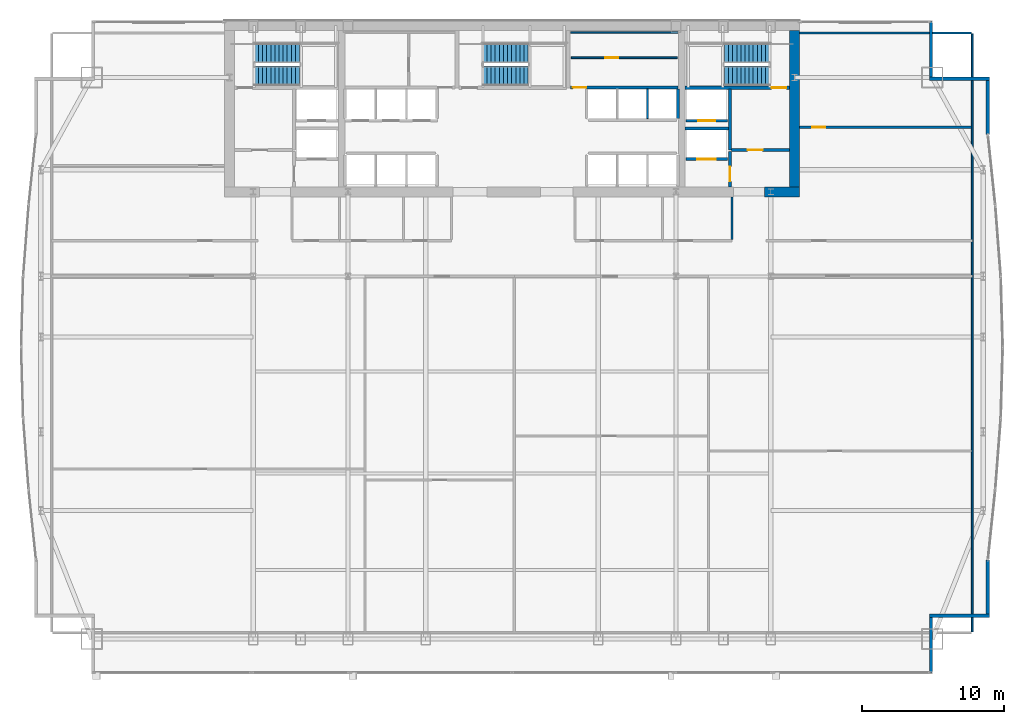
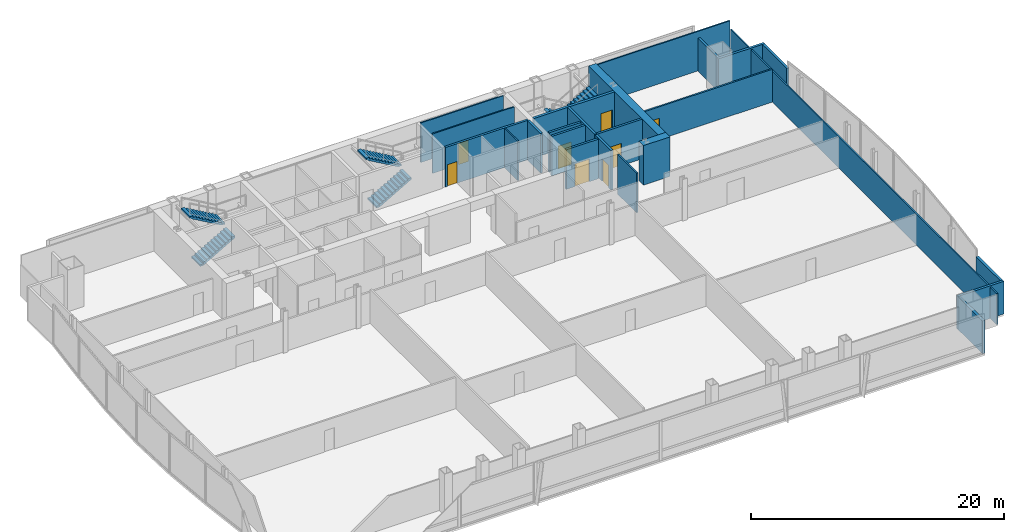
# One storey, part 28 of 30: 24 walls, 8 doors, 6 stair flights, 8 openings, 3 elements without a shape of their own.
"""IFC4 building model written with IfcOpenShell, lengths in metres."""

from ifc_helpers import new_model, si_unit, direction, frame, frame_2d, origin, place, context, subcontext, project, spatial, polyline, rectangle, outline, extrude, material, layer, layer_set, type_object, element, fill, aggregate, save


model = new_model("IFC4")

# Units and contexts
model_context = context("Model", 3, precision=1e-05, world=origin(), true_north=direction((0.0, 1.0)))
body_context = subcontext(model_context, "Body", "Model", "MODEL_VIEW")
ifc_project = project(units=[si_unit("LENGTHUNIT", "METRE"), si_unit("AREAUNIT", "SQUARE_METRE"), si_unit("VOLUMEUNIT", "CUBIC_METRE"), si_unit("PLANEANGLEUNIT", "RADIAN"), si_unit("MASSUNIT", "GRAM", prefix="KILO")], contexts=[model_context])

# Site, building, storey
site_placement = place(None, origin())
site = spatial("IfcSite", under=ifc_project, at=site_placement, CompositionType="ELEMENT")
building_placement = place(site_placement, origin())
building = spatial("IfcBuilding", under=site, at=building_placement, Name="Khoronbel Lancet Exchange", CompositionType="ELEMENT")
storey_placement = place(building_placement, frame((0.0, 0.0, 98.60009765625)))
storey = spatial("IfcBuildingStorey", under=building, at=storey_placement, Name="L23", CompositionType="ELEMENT", Elevation=98.60009765625)

# Walls
ifc_material_1 = material(Name="Concrete C80/95", Category="concrete")
ifc_layer_1 = layer(ifc_material_1, 0.699951171875, Name="Concrete C80/95")
ifc_layer_set_1 = layer_set([ifc_layer_1], Name="Concrete C80/95")
wall_type_1 = type_object("IfcWallType", Name="WL-CW2", PredefinedType="SHEAR", material=ifc_layer_set_1)
wall_1_placement = place(storey_placement, frame((56.35009765625, 53.0, 0.0), z_axis=(0.0, 0.0, 1.0), x_axis=(0.0, -1.0, 0.0)))
element("IfcWall", 1, at=wall_1_placement, inside=storey, type_object=wall_type_1, Name="Level L23 rear core east shear wall", PredefinedType="SHEAR", context=body_context, shape_type="SweptSolid", body=[
    extrude(rectangle(XDim=11.0, YDim=0.699951171875, at=frame_2d((5.5, 0.0))), origin(), (0.0, 0.0, 1.0), 3.81982421875),
])
wall_2_placement = place(storey_placement, frame((56.699951171875, 41.64990234375, 0.0), z_axis=(0.0, 0.0, 1.0), x_axis=(-1.0, 0.0, 0.0)))
element("IfcWall", 2, at=wall_2_placement, inside=storey, type_object=wall_type_1, Name="Level L23 rear core south shear wall pier P5", PredefinedType="SHEAR", context=body_context, shape_type="SweptSolid", body=[
    extrude(rectangle(XDim=2.449951171875, YDim=0.699951171875, at=frame_2d((1.22509765625, 0.0))), origin(), (0.0, 0.0, 1.0), 3.81982421875),
])
ifc_material_2 = material(Name="Precast concrete C40/50", Category="concrete")
ifc_layer_2 = layer(ifc_material_2, 0.25, Name="Precast concrete C40/50")
ifc_layer_set_2 = layer_set([ifc_layer_2], Name="Precast concrete C40/50")
wall_type_2 = type_object("IfcWallType", Name="WL-EXT250", PredefinedType="SOLIDWALL", material=ifc_layer_set_2)
wall_3_placement = place(storey_placement, frame((65.9599609375, 53.6298828125, 0.0), z_axis=(0.0, 0.0, 1.0), x_axis=(0.0, -1.0, 0.0)))
element("IfcWall", 3, at=wall_3_placement, inside=storey, type_object=wall_type_2, Name="Level L23 notched-corner limestone pier 14", PredefinedType="SOLIDWALL", context=body_context, shape_type="SweptSolid", body=[
    extrude(rectangle(XDim=3.909912109375, YDim=0.219970703125, at=frame_2d((1.955078125, 0.0))), origin(), (0.0, 0.0, 1.0), 3.159912109375),
])
wall_4_placement = place(storey_placement, frame((65.85009765625, 49.610107421875, 0.0), z_axis=(0.0, 0.0, 1.0), x_axis=(1.0, 0.0, 0.0)))
element("IfcWall", 4, at=wall_4_placement, inside=storey, type_object=wall_type_2, Name="Level L23 notched-corner limestone pier 15", PredefinedType="SOLIDWALL", context=body_context, shape_type="SweptSolid", body=[
    extrude(rectangle(XDim=4.219970703125, YDim=0.219970703125, at=frame_2d((2.10986328125, 0.0))), origin(), (0.0, 0.0, 1.0), 3.159912109375),
])
for number, where, z_axis, x_axis, name in (
    (5, (69.9599609375, 49.5, 0.0), (0.0, 0.0, 1.0), (0.0, -1.0, 0.0), "Level L23 notched-corner limestone pier 16"),
    (6, (69.9599609375, 15.724609375, 0.0), (0.0, 0.0, 1.0), (0.0, -1.0, 0.0), "Level L23 notched-corner limestone pier 23"),
):
    element("IfcWall", number, at=place(storey_placement, frame(where, z_axis=z_axis, x_axis=x_axis)), inside=storey, type_object=wall_type_2, Name=name, PredefinedType="SOLIDWALL", context=body_context, shape_type="SweptSolid", body=[
        extrude(rectangle(XDim=3.82470703125, YDim=0.219970703125, at=frame_2d((1.912353515625, 0.0))), origin(), (0.0, 0.0, 1.0), 3.159912109375),
    ])
wall_5_placement = place(storey_placement, frame((70.070068359375, 11.7900390625, 0.0), z_axis=(0.0, 0.0, 1.0), x_axis=(-1.0, 0.0, 0.0)))
element("IfcWall", 7, at=wall_5_placement, inside=storey, type_object=wall_type_2, Name="Level L23 notched-corner limestone pier 24", PredefinedType="SOLIDWALL", context=body_context, shape_type="SweptSolid", body=[
    extrude(rectangle(XDim=4.219970703125, YDim=0.219970703125, at=frame_2d((2.10986328125, 0.0))), origin(), (0.0, 0.0, 1.0), 3.159912109375),
])
wall_6_placement = place(storey_placement, frame((65.9599609375, 11.679931640625, 0.0), z_axis=(0.0, 0.0, 1.0), x_axis=(0.0, -1.0, 0.0)))
element("IfcWall", 8, at=wall_6_placement, inside=storey, type_object=wall_type_2, Name="Level L23 notched-corner limestone pier 25", PredefinedType="SOLIDWALL", context=body_context, shape_type="SweptSolid", body=[
    extrude(rectangle(XDim=3.909912109375, YDim=0.219970703125, at=frame_2d((1.955078125, 0.0))), origin(), (0.0, 0.0, 1.0), 3.159912109375),
])
ifc_material_3 = material(Name="Acoustic Metal-Stud & Mineral-Wool Gypsum Partition 120 mm", Category="gypsum")
ifc_layer_3 = layer(ifc_material_3, 0.1201171875, Name="Acoustic Metal-Stud & Mineral-Wool Gypsum Partition 120 mm")
ifc_layer_set_3 = layer_set([ifc_layer_3], Name="Acoustic Metal-Stud & Mineral-Wool Gypsum Partition 120 mm")
wall_type_3 = type_object("IfcWallType", Name="WL-PRT120", PredefinedType="PARTITIONING", material=ifc_layer_set_3)
wall_7_placement = place(storey_placement, frame((51.949951171875, 38.280029296875, 0.0), z_axis=(0.0, 0.0, 1.0), x_axis=(0.0, 1.0, 0.0)))
element("IfcWall", 9, at=wall_7_placement, inside=storey, type_object=wall_type_3, Name="Level L23 interior partition PW-NP-1", PredefinedType="PARTITIONING", context=body_context, shape_type="SweptSolid", body=[
    extrude(rectangle(XDim=3.02001953125, YDim=0.14990234375, at=frame_2d((1.510009765625, 0.0))), origin(), (0.0, 0.0, 1.0), 3.81982421875),
])

# Wall, opening, door
wall_8_placement = place(storey_placement, frame((56.699951171875, 46.199951171875, 0.0), z_axis=(0.0, 0.0, 1.0), x_axis=(1.0, 0.0, 0.0)))
wall_8 = element("IfcWall", 10, at=wall_8_placement, inside=storey, type_object=wall_type_3, Name="Level L23 interior partition PW-NE-H", PredefinedType="PARTITIONING", context=body_context, shape_type="SweptSolid", body=[
    extrude(rectangle(XDim=12.10498046875, YDim=0.14990234375, at=frame_2d((6.052490234375, 0.0))), origin(), (0.0, 0.0, 1.0), 3.159912109375),
])
opening_1_placement = place(wall_8_placement, frame((0.89990234375, 0.0, 0.0)))
opening_1 = element("IfcOpeningElement", 11, at=opening_1_placement, cuts=wall_8, Name="Opening D5", PredefinedType="OPENING", context=body_context, shape_type="SweptSolid", body=[
    extrude(rectangle(XDim=0.89990234375, YDim=2.050048828125, at=frame_2d((0.449951171875, 1.02490234375))), frame((0.0, 0.0849609375, 0.0), z_axis=(0.0, -1.0, 0.0), x_axis=(1.0, 0.0, 0.0)), (0.0, 0.0, 1.0), 0.169921875),
])
ifc_material_4 = material(Name="Acoustic Timber Pantry & Support Door", Category="wood")
door_type_1 = type_object("IfcDoorType", Name="DR-D5", OperationType="NOTDEFINED", PredefinedType="DOOR", material=ifc_material_4)
door_1_placement = place(opening_1_placement, origin())
door_1 = element("IfcDoor", 12, at=door_1_placement, inside=storey, type_object=door_type_1, Name="NE north room door L23-1", OperationType="SINGLE_SWING_RIGHT", OverallHeight=2.050048828125, OverallWidth=0.89990234375, PredefinedType="DOOR", context=body_context, shape_type="SweptSolid", body=[
    extrude(rectangle(XDim=0.89990234375, YDim=2.050048828125, at=frame_2d((0.449951171875, 1.02490234375))), frame((0.0, 0.02490234375, 0.0), z_axis=(0.0, -1.0, 0.0), x_axis=(1.0, 0.0, 0.0)), (0.0, 0.0, 1.0), 0.050048828125),
])
fill(opening_1, door_1)

# Walls
wall_9_placement = place(storey_placement, frame((68.8701171875, 10.6650390625, 0.0), z_axis=(0.0, 0.0, 1.0), x_axis=(0.0, 1.0, 0.0)))
element("IfcWall", 13, at=wall_9_placement, inside=storey, type_object=wall_type_3, Name="Level L23 interior partition PW-LIN-E", PredefinedType="PARTITIONING", context=body_context, shape_type="SweptSolid", body=[
    extrude(rectangle(XDim=42.10986328125, YDim=0.1201171875, at=frame_2d((21.054931640625, 0.0))), origin(), (0.0, 0.0, 1.0), 3.010009765625),
])
wall_10_placement = place(storey_placement, frame((56.699951171875, 52.840087890625, 0.0), z_axis=(0.0, 0.0, 1.0), x_axis=(1.0, 0.0, 0.0)))
element("IfcWall", 14, at=wall_10_placement, inside=storey, type_object=wall_type_3, Name="Level L23 interior partition PW-LIN-NE", PredefinedType="PARTITIONING", context=body_context, shape_type="SweptSolid", body=[
    extrude(rectangle(XDim=12.10498046875, YDim=0.1201171875, at=frame_2d((6.052490234375, 0.0))), origin(), (0.0, 0.0, 1.0), 3.81982421875),
])
ifc_material_5 = material(Name="Fire-Rated Metal-Stud & Mineral-Wool Gypsum Partition 120 mm", Category="gypsum")
ifc_layer_4 = layer(ifc_material_5, 0.1201171875, Name="Fire-Rated Metal-Stud & Mineral-Wool Gypsum Partition 120 mm")
ifc_layer_set_4 = layer_set([ifc_layer_4], Name="Fire-Rated Metal-Stud & Mineral-Wool Gypsum Partition 120 mm")
wall_type_4 = type_object("IfcWallType", Name="WL-PRT120F", PredefinedType="PARTITIONING", material=ifc_layer_set_4)
wall_11_placement = place(storey_placement, frame((46.0, 46.804931640625, 0.0), z_axis=(0.0, 0.0, 1.0), x_axis=(0.0, 1.0, 0.0)))
element("IfcWall", 15, at=wall_11_placement, inside=storey, type_object=wall_type_4, Name="Level L23 interior partition CW-PH-D2", PredefinedType="PARTITIONING", context=body_context, shape_type="SweptSolid", body=[
    extrude(rectangle(XDim=2.090087890625, YDim=0.1201171875, at=frame_2d((1.044921875, 0.0))), origin(), (0.0, 0.0, 1.0), 3.81982421875),
])
wall_12_placement = place(storey_placement, frame((40.580078125, 52.860107421875, 0.0), z_axis=(0.0, 0.0, 1.0), x_axis=(1.0, 0.0, 0.0)))
element("IfcWall", 16, at=wall_12_placement, inside=storey, type_object=wall_type_4, Name="Level L23 interior partition CW-SUP-NE-N", PredefinedType="PARTITIONING", context=body_context, shape_type="SweptSolid", body=[
    extrude(rectangle(XDim=7.559814453125, YDim=0.1201171875, at=frame_2d((3.77978515625, 0.0))), origin(), (0.0, 0.0, 1.0), 3.81982421875),
])

# Wall, opening, door
wall_13_placement = place(storey_placement, frame((40.6298828125, 51.090087890625, 0.0), z_axis=(0.0, 0.0, 1.0), x_axis=(1.0, 0.0, 0.0)))
wall_13 = element("IfcWall", 17, at=wall_13_placement, inside=storey, type_object=wall_type_4, Name="Level L23 interior partition CW-SUP-NE-H", PredefinedType="PARTITIONING", context=body_context, shape_type="SweptSolid", body=[
    extrude(rectangle(XDim=7.460205078125, YDim=0.1201171875, at=frame_2d((3.72998046875, 0.0))), origin(), (0.0, 0.0, 1.0), 3.81982421875),
])
opening_2_placement = place(wall_13_placement, frame((2.39990234375, 0.0, 0.0)))
opening_2 = element("IfcOpeningElement", 18, at=opening_2_placement, cuts=wall_13, Name="Opening FD4", PredefinedType="OPENING", context=body_context, shape_type="SweptSolid", body=[
    extrude(rectangle(XDim=0.89990234375, YDim=2.050048828125, at=frame_2d((0.449951171875, 1.02490234375))), frame((0.0, 0.070068359375, 0.0), z_axis=(0.0, -1.0, 0.0), x_axis=(1.0, 0.0, 0.0)), (0.0, 0.0, 1.0), 0.14013671875),
])
ifc_material_6 = material(Name="Fire-Rated Steel Core Support Door Assembly", Category="steel")
door_type_2 = type_object("IfcDoorType", Name="DR-FD4", OperationType="NOTDEFINED", PredefinedType="DOOR", material=ifc_material_6)
door_2_placement = place(opening_2_placement, origin())
door_2 = element("IfcDoor", 19, at=door_2_placement, inside=storey, type_object=door_type_2, Name="Core NE north store door L23-1", OperationType="SINGLE_SWING_LEFT", OverallHeight=2.050048828125, OverallWidth=0.89990234375, PredefinedType="DOOR", context=body_context, shape_type="SweptSolid", body=[
    extrude(rectangle(XDim=0.89990234375, YDim=2.050048828125, at=frame_2d((0.449951171875, 1.02490234375))), frame((0.0, 0.02490234375, 0.0), z_axis=(0.0, -1.0, 0.0), x_axis=(1.0, 0.0, 0.0)), (0.0, 0.0, 1.0), 0.050048828125),
])
fill(opening_2, door_2)

ifc_material_7 = material(Name="Autoclaved Aerated Concrete Blockwork 200 mm", Category="masonry")
ifc_layer_5 = layer(ifc_material_7, 0.199951171875, Name="Autoclaved Aerated Concrete Blockwork 200 mm")
ifc_layer_set_5 = layer_set([ifc_layer_5], Name="Autoclaved Aerated Concrete Blockwork 200 mm")
wall_type_5 = type_object("IfcWallType", Name="WL-PRT200", PredefinedType="PARTITIONING", material=ifc_layer_set_5)
wall_14_placement = place(storey_placement, frame((51.610107421875, 43.949951171875, 0.0), z_axis=(0.0, 0.0, 1.0), x_axis=(-1.0, 0.0, 0.0)))
wall_14 = element("IfcWall", 20, at=wall_14_placement, inside=storey, type_object=wall_type_5, Name="Level L23 elevator hoistway landing front wall SVLE", PredefinedType="PARTITIONING", context=body_context, shape_type="SweptSolid", body=[
    extrude(rectangle(XDim=2.920166015625, YDim=0.199951171875, at=frame_2d((1.4599609375, 0.0))), origin(), (0.0, 0.0, 1.0), 3.81982421875),
])
opening_3_placement = place(wall_14_placement, frame((0.81005859375, 0.0, 0.0)))
opening_3 = element("IfcOpeningElement", 21, at=opening_3_placement, cuts=wall_14, Name="Opening LD-SVL2", PredefinedType="OPENING", context=body_context, shape_type="SweptSolid", body=[
    extrude(rectangle(XDim=1.300048828125, YDim=2.179931640625, at=frame_2d((0.64990234375, 1.08984375))), frame((0.0, 0.10986328125, 0.0), z_axis=(0.0, -1.0, 0.0), x_axis=(1.0, 0.0, 0.0)), (0.0, 0.0, 1.0), 0.219970703125),
])
ifc_material_8 = material(Name="Heavy-Duty Bi-Parting Goods Lift Landing Door", Category="steel")
door_type_3 = type_object("IfcDoorType", Name="DR-LD-SVL", OperationType="NOTDEFINED", PredefinedType="DOOR", material=ifc_material_8)
door_3_placement = place(opening_3_placement, origin())
door_3 = element("IfcDoor", 22, at=door_3_placement, inside=storey, type_object=door_type_3, Name="Elevator landing sliding door LD-SVL2 L23", OperationType="SLIDING_TO_LEFT", OverallHeight=2.179931640625, OverallWidth=1.300048828125, PredefinedType="DOOR", context=body_context, shape_type="SweptSolid", body=[
    extrude(rectangle(XDim=1.300048828125, YDim=2.179931640625, at=frame_2d((0.64990234375, 1.08984375))), frame((0.0, 0.02490234375, 0.0), z_axis=(0.0, -1.0, 0.0), x_axis=(1.0, 0.0, 0.0)), (0.0, 0.0, 1.0), 0.050048828125),
])
fill(opening_3, door_3)

wall_15_placement = place(storey_placement, frame((51.610107421875, 46.64990234375, 0.0), z_axis=(0.0, 0.0, 1.0), x_axis=(-1.0, 0.0, 0.0)))
wall_15 = element("IfcWall", 23, at=wall_15_placement, inside=storey, type_object=wall_type_5, Name="Level L23 elevator hoistway landing front wall FFLE", PredefinedType="PARTITIONING", context=body_context, shape_type="SweptSolid", body=[
    extrude(rectangle(XDim=2.920166015625, YDim=0.199951171875, at=frame_2d((1.4599609375, 0.0))), origin(), (0.0, 0.0, 1.0), 3.81982421875),
])
opening_4_placement = place(wall_15_placement, frame((0.860107421875, 0.0, 0.0)))
opening_4 = element("IfcOpeningElement", 24, at=opening_4_placement, cuts=wall_15, Name="Opening LD-FFL2", PredefinedType="OPENING", context=body_context, shape_type="SweptSolid", body=[
    extrude(rectangle(XDim=1.199951171875, YDim=2.179931640625, at=frame_2d((0.60009765625, 1.08984375))), frame((0.0, 0.10986328125, 0.0), z_axis=(0.0, -1.0, 0.0), x_axis=(1.0, 0.0, 0.0)), (0.0, 0.0, 1.0), 0.219970703125),
])
ifc_material_9 = material(Name="Fire-Rated Stainless Bi-Parting Firefighting Lift Door", Category="steel")
door_type_4 = type_object("IfcDoorType", Name="DR-LD-FFL", OperationType="NOTDEFINED", PredefinedType="DOOR", material=ifc_material_9)
door_4_placement = place(opening_4_placement, origin())
door_4 = element("IfcDoor", 25, at=door_4_placement, inside=storey, type_object=door_type_4, Name="Elevator landing sliding door LD-FFL2 L23", OperationType="SLIDING_TO_LEFT", OverallHeight=2.179931640625, OverallWidth=1.199951171875, PredefinedType="DOOR", context=body_context, shape_type="SweptSolid", body=[
    extrude(rectangle(XDim=1.199951171875, YDim=2.179931640625, at=frame_2d((0.60009765625, 1.08984375))), frame((0.0, 0.02490234375, 0.0), z_axis=(0.0, -1.0, 0.0), x_axis=(1.0, 0.0, 0.0)), (0.0, 0.0, 1.0), 0.050048828125),
])
fill(opening_4, door_4)

# Wall
wall_16_placement = place(storey_placement, frame((51.800048828125, 44.60009765625, 0.0), z_axis=(0.0, 0.0, 1.0), x_axis=(0.0, 1.0, 0.0)))
element("IfcWall", 26, at=wall_16_placement, inside=storey, type_object=wall_type_5, Name="Level L23 interior partition CW-FFLE-W", PredefinedType="PARTITIONING", context=body_context, shape_type="SweptSolid", body=[
    extrude(rectangle(XDim=4.2998046875, YDim=0.199951171875, at=frame_2d((2.14990234375, 0.0))), origin(), (0.0, 0.0, 1.0), 3.81982421875),
])

# Wall, opening, door
wall_17_placement = place(storey_placement, frame((51.89990234375, 44.60009765625, 0.0), z_axis=(0.0, 0.0, 1.0), x_axis=(1.0, 0.0, 0.0)))
wall_17 = element("IfcWall", 27, at=wall_17_placement, inside=storey, type_object=wall_type_5, Name="Level L23 interior partition CW-FFLE-S", PredefinedType="PARTITIONING", context=body_context, shape_type="SweptSolid", body=[
    extrude(rectangle(XDim=4.10009765625, YDim=0.199951171875, at=frame_2d((2.050048828125, 0.0))), origin(), (0.0, 0.0, 1.0), 3.81982421875),
])
opening_5_placement = place(wall_17_placement, frame((1.14990234375, 0.0, 0.0)))
opening_5 = element("IfcOpeningElement", 28, at=opening_5_placement, cuts=wall_17, Name="Opening FD1", PredefinedType="OPENING", context=body_context, shape_type="SweptSolid", body=[
    extrude(rectangle(XDim=1.050048828125, YDim=2.14990234375, at=frame_2d((0.52490234375, 1.074951171875))), frame((0.0, 0.10986328125, 0.0), z_axis=(0.0, -1.0, 0.0), x_axis=(1.0, 0.0, 0.0)), (0.0, 0.0, 1.0), 0.219970703125),
])
ifc_material_10 = material(Name="Fire-Rated Painted Steel Door Assembly", Category="steel")
door_type_5 = type_object("IfcDoorType", Name="DR-FD1", OperationType="NOTDEFINED", PredefinedType="DOOR", material=ifc_material_10)
door_5_placement = place(opening_5_placement, origin())
door_5 = element("IfcDoor", 29, at=door_5_placement, inside=storey, type_object=door_type_5, Name="East firefighting lobby FD90S door L23-1", OperationType="SINGLE_SWING_RIGHT", OverallHeight=2.14990234375, OverallWidth=1.050048828125, PredefinedType="DOOR", context=body_context, shape_type="SweptSolid", body=[
    extrude(rectangle(XDim=1.050048828125, YDim=2.14990234375, at=frame_2d((0.52490234375, 1.074951171875))), frame((0.0, 0.02490234375, 0.0), z_axis=(0.0, -1.0, 0.0), x_axis=(1.0, 0.0, 0.0)), (0.0, 0.0, 1.0), 0.050048828125),
])
fill(opening_5, door_5)

# Wall
wall_18_placement = place(storey_placement, frame((48.6298828125, 46.1201171875, 0.0), z_axis=(0.0, 0.0, 1.0), x_axis=(1.0, 0.0, 0.0)))
element("IfcWall", 30, at=wall_18_placement, inside=storey, type_object=wall_type_5, Name="Level L23 interior partition CW-FFL2-S", PredefinedType="PARTITIONING", context=body_context, shape_type="SweptSolid", body=[
    extrude(rectangle(XDim=3.070068359375, YDim=0.199951171875, at=frame_2d((1.53515625, 0.0))), origin(), (0.0, 0.0, 1.0), 3.81982421875),
])

# Wall, opening, door
wall_19_placement = place(storey_placement, frame((51.800048828125, 42.0, 0.0), z_axis=(0.0, 0.0, 1.0), x_axis=(0.0, 1.0, 0.0)))
wall_19 = element("IfcWall", 31, at=wall_19_placement, inside=storey, type_object=wall_type_5, Name="Level L23 interior partition CW-SVLE-E", PredefinedType="PARTITIONING", context=body_context, shape_type="SweptSolid", body=[
    extrude(rectangle(XDim=2.4951171875, YDim=0.199951171875, at=frame_2d((1.24755859375, 0.0))), origin(), (0.0, 0.0, 1.0), 3.81982421875),
])
opening_6_placement = place(wall_19_placement, frame((0.3798828125, 0.0, 0.0)))
opening_6 = element("IfcOpeningElement", 32, at=opening_6_placement, cuts=wall_19, Name="Opening FD1", PredefinedType="OPENING", context=body_context, shape_type="SweptSolid", body=[
    extrude(rectangle(XDim=1.050048828125, YDim=2.14990234375, at=frame_2d((0.52490234375, 1.074951171875))), frame((0.0, 0.10986328125, 0.0), z_axis=(0.0, -1.0, 0.0), x_axis=(1.0, 0.0, 0.0)), (0.0, 0.0, 1.0), 0.219970703125),
])
door_6_placement = place(opening_6_placement, origin())
door_6 = element("IfcDoor", 33, at=door_6_placement, inside=storey, type_object=door_type_5, Name="East service lift lobby door L23-1", OperationType="SINGLE_SWING_LEFT", OverallHeight=2.14990234375, OverallWidth=1.050048828125, PredefinedType="DOOR", context=body_context, shape_type="SweptSolid", body=[
    extrude(rectangle(XDim=1.050048828125, YDim=2.14990234375, at=frame_2d((0.52490234375, 1.074951171875))), frame((0.0, 0.02490234375, 0.0), z_axis=(0.0, -1.0, 0.0), x_axis=(1.0, 0.0, 0.0)), (0.0, 0.0, 1.0), 0.050048828125),
])
fill(opening_6, door_6)

# Wall
wall_20_placement = place(storey_placement, frame((48.139892578125, 46.804931640625, 0.0), z_axis=(0.0, 0.0, 1.0), x_axis=(0.0, 1.0, 0.0)))
element("IfcWall", 34, at=wall_20_placement, inside=storey, type_object=wall_type_5, Name="Level L23 interior partition CW-PH-E", PredefinedType="PARTITIONING", context=body_context, shape_type="SweptSolid", body=[
    extrude(rectangle(XDim=2.090087890625, YDim=0.199951171875, at=frame_2d((1.044921875, 0.0))), origin(), (0.0, 0.0, 1.0), 3.81982421875),
])

# Wall, opening, door
wall_21_placement = place(storey_placement, frame((40.580078125, 49.0, 0.0), z_axis=(0.0, 0.0, 1.0), x_axis=(1.0, 0.0, 0.0)))
wall_21 = element("IfcWall", 35, at=wall_21_placement, inside=storey, type_object=wall_type_5, Name="Level L23 interior partition CW-SUP-NE-S", PredefinedType="PARTITIONING", context=body_context, shape_type="SweptSolid", body=[
    extrude(rectangle(XDim=7.559814453125, YDim=0.199951171875, at=frame_2d((3.77978515625, 0.0))), origin(), (0.0, 0.0, 1.0), 3.81982421875),
])
opening_7_placement = place(wall_21_placement, frame((0.159912109375, 0.0, 0.0)))
opening_7 = element("IfcOpeningElement", 36, at=opening_7_placement, cuts=wall_21, Name="Opening FD3", PredefinedType="OPENING", context=body_context, shape_type="SweptSolid", body=[
    extrude(rectangle(XDim=0.949951171875, YDim=2.10009765625, at=frame_2d((0.47509765625, 1.050048828125))), frame((0.0, 0.10986328125, 0.0), z_axis=(0.0, -1.0, 0.0), x_axis=(1.0, 0.0, 0.0)), (0.0, 0.0, 1.0), 0.219970703125),
])
ifc_material_11 = material(Name="Fire-Rated Steel Plant & Riser Door Assembly", Category="steel")
door_type_6 = type_object("IfcDoorType", Name="DR-FD3", OperationType="NOTDEFINED", PredefinedType="DOOR", material=ifc_material_11)
door_7_placement = place(opening_7_placement, origin())
door_7 = element("IfcDoor", 37, at=door_7_placement, inside=storey, type_object=door_type_6, Name="Core NE support room door L23-1", OperationType="SINGLE_SWING_RIGHT", OverallHeight=2.10009765625, OverallWidth=0.949951171875, PredefinedType="DOOR", context=body_context, shape_type="SweptSolid", body=[
    extrude(rectangle(XDim=0.949951171875, YDim=2.10009765625, at=frame_2d((0.47509765625, 1.050048828125))), frame((0.0, 0.02490234375, 0.0), z_axis=(0.0, -1.0, 0.0), x_axis=(1.0, 0.0, 0.0)), (0.0, 0.0, 1.0), 0.050048828125),
])
fill(opening_7, door_7)

ifc_material_12 = material(Name="Concrete C60/75", Category="concrete")
ifc_layer_6 = layer(ifc_material_12, 0.260009765625, Name="Concrete C60/75")
ifc_layer_set_6 = layer_set([ifc_layer_6], Name="Concrete C60/75")
wall_type_6 = type_object("IfcWallType", Name="WL-SW3", PredefinedType="SHEAR", material=ifc_layer_set_6)
wall_22_placement = place(storey_placement, frame((48.6298828125, 48.97998046875, 0.0), z_axis=(0.0, 0.0, 1.0), x_axis=(1.0, 0.0, 0.0)))
wall_22 = element("IfcWall", 38, at=wall_22_placement, inside=storey, type_object=wall_type_6, Name="Level L23 east stairwell structural south wall", PredefinedType="SHEAR", context=body_context, shape_type="SweptSolid", body=[
    extrude(rectangle(XDim=7.3701171875, YDim=0.239990234375, at=frame_2d((3.68505859375, 0.0))), origin(), (0.0, 0.0, 1.0), 3.81982421875),
])
opening_8_placement = place(wall_22_placement, frame((6.10009765625, 0.0, 0.0)))
opening_8 = element("IfcOpeningElement", 39, at=opening_8_placement, cuts=wall_22, Name="Opening SD1", PredefinedType="OPENING", context=body_context, shape_type="SweptSolid", body=[
    extrude(rectangle(XDim=1.050048828125, YDim=2.14990234375, at=frame_2d((0.52490234375, 1.074951171875))), frame((0.0, 0.1298828125, 0.0), z_axis=(0.0, -1.0, 0.0), x_axis=(1.0, 0.0, 0.0)), (0.0, 0.0, 1.0), 0.260009765625),
])
ifc_material_13 = material(Name="Fire-Rated Steel Stairwell Door Assembly", Category="steel")
door_type_7 = type_object("IfcDoorType", Name="DR-SD1", OperationType="NOTDEFINED", PredefinedType="DOOR", material=ifc_material_13)
door_8_placement = place(opening_8_placement, origin())
door_8 = element("IfcDoor", 40, at=door_8_placement, inside=storey, type_object=door_type_7, Name="Protected exit stair ST2 door L23", OperationType="SINGLE_SWING_RIGHT", OverallHeight=2.14990234375, OverallWidth=1.050048828125, PredefinedType="DOOR", context=body_context, shape_type="SweptSolid", body=[
    extrude(rectangle(XDim=1.050048828125, YDim=2.14990234375, at=frame_2d((0.52490234375, 1.074951171875))), frame((0.0, 0.02490234375, 0.0), z_axis=(0.0, -1.0, 0.0), x_axis=(1.0, 0.0, 0.0)), (0.0, 0.0, 1.0), 0.050048828125),
])
fill(opening_8, door_8)

# Stair, stair flights
ifc_material_14 = material(Name="Concrete C40/50", Category="concrete")
stair_type = type_object("IfcStairType", Name="STR-CORE150", PredefinedType="HALF_TURN_STAIR", material=ifc_material_14)
stair_1_placement = place(storey_placement, origin())
stair_1 = element("IfcStair", 41, at=stair_1_placement, inside=storey, type_object=stair_type, Name="L23 Protected Exit Stair ST1", PredefinedType="HALF_TURN_STAIR")
stair_flight_type = type_object("IfcStairFlightType", Name="STF-150", PredefinedType="STRAIGHT", material=ifc_material_14)
stair_flight_1_placement = place(storey_placement, frame((18.300048828125, 49.81005859375, 0.0), z_axis=(0.0, 0.0, 1.0), x_axis=(1.0, 0.0, 0.0)))
stair_flight_1 = element("IfcStairFlight", 42, at=stair_flight_1_placement, type_object=stair_flight_type, Name="ST1 flight 1", NumberOfRisers=12, NumberOfTreads=11, PredefinedType="STRAIGHT", RiserHeight=0.166666667, TreadLength=0.29, context=body_context, shape_type="SweptSolid", body=[
    extrude(outline(polyline([(0.0, 0.0), (0.0, 0.166748046875), (0.2900390625, 0.166748046875), (0.2900390625, 0.333251953125), (0.580078125, 0.333251953125), (0.580078125, 0.5), (0.8701171875, 0.5), (0.8701171875, 0.666748046875), (1.159912109375, 0.666748046875), (1.159912109375, 0.833251953125), (1.449951171875, 0.833251953125), (1.449951171875, 1.0), (1.739990234375, 1.0), (1.739990234375, 1.166748046875), (2.030029296875, 1.166748046875), (2.030029296875, 1.333251953125), (2.320068359375, 1.333251953125), (2.320068359375, 1.5), (2.610107421875, 1.5), (2.610107421875, 1.666748046875), (2.89990234375, 1.666748046875), (2.89990234375, 1.833251953125), (3.18994140625, 1.833251953125), (3.18994140625, 2.0), (3.18994140625, 1.660400390625), (0.30078125, 0.0), (0.0, 0.0)])), frame((0.0, 0.68994140625, 0.0), z_axis=(0.0, -1.0, 0.0), x_axis=(1.0, 0.0, 0.0)), (0.0, 0.0, 1.0), 1.3798828125),
])
stair_flight_2_placement = place(storey_placement, frame((21.489990234375, 51.409912109375, 2.0), z_axis=(0.0, 0.0, 1.0), x_axis=(-1.0, 0.0, 0.0)))
stair_flight_2 = element("IfcStairFlight", 43, at=stair_flight_2_placement, type_object=stair_flight_type, Name="ST1 flight 2", NumberOfRisers=12, NumberOfTreads=11, PredefinedType="STRAIGHT", RiserHeight=0.166666667, TreadLength=0.29, context=body_context, shape_type="SweptSolid", body=[
    extrude(outline(polyline([(0.0, 0.0), (0.0, 0.166748046875), (0.2900390625, 0.166748046875), (0.2900390625, 0.333251953125), (0.580078125, 0.333251953125), (0.580078125, 0.5), (0.8701171875, 0.5), (0.8701171875, 0.666748046875), (1.159912109375, 0.666748046875), (1.159912109375, 0.833251953125), (1.449951171875, 0.833251953125), (1.449951171875, 1.0), (1.739990234375, 1.0), (1.739990234375, 1.166748046875), (2.030029296875, 1.166748046875), (2.030029296875, 1.333251953125), (2.320068359375, 1.333251953125), (2.320068359375, 1.5), (2.610107421875, 1.5), (2.610107421875, 1.666748046875), (2.89990234375, 1.666748046875), (2.89990234375, 1.833251953125), (3.18994140625, 1.833251953125), (3.18994140625, 2.0), (3.18994140625, 1.660400390625), (0.30078125, 0.0), (0.0, 0.0)])), frame((0.0, 0.68994140625, 0.0), z_axis=(0.0, -1.0, 0.0), x_axis=(1.0, 0.0, 0.0)), (0.0, 0.0, 1.0), 1.3798828125),
])
aggregate(stair_1, [stair_flight_1, stair_flight_2])

stair_2_placement = place(storey_placement, origin())
stair_2 = element("IfcStair", 44, at=stair_2_placement, inside=storey, type_object=stair_type, Name="L23 Protected Exit Stair ST2", PredefinedType="HALF_TURN_STAIR")
stair_flight_3_placement = place(storey_placement, frame((54.60009765625, 51.409912109375, 0.0), z_axis=(0.0, 0.0, 1.0), x_axis=(-1.0, 0.0, 0.0)))
stair_flight_3 = element("IfcStairFlight", 45, at=stair_flight_3_placement, type_object=stair_flight_type, Name="ST2 flight 1", NumberOfRisers=12, NumberOfTreads=11, PredefinedType="STRAIGHT", RiserHeight=0.166666667, TreadLength=0.29, context=body_context, shape_type="SweptSolid", body=[
    extrude(outline(polyline([(0.0, 0.0), (0.0, 0.166748046875), (0.2900390625, 0.166748046875), (0.2900390625, 0.333251953125), (0.580078125, 0.333251953125), (0.580078125, 0.5), (0.8701171875, 0.5), (0.8701171875, 0.666748046875), (1.159912109375, 0.666748046875), (1.159912109375, 0.833251953125), (1.449951171875, 0.833251953125), (1.449951171875, 1.0), (1.739990234375, 1.0), (1.739990234375, 1.166748046875), (2.030029296875, 1.166748046875), (2.030029296875, 1.333251953125), (2.320068359375, 1.333251953125), (2.320068359375, 1.5), (2.610107421875, 1.5), (2.610107421875, 1.666748046875), (2.89990234375, 1.666748046875), (2.89990234375, 1.833251953125), (3.18994140625, 1.833251953125), (3.18994140625, 2.0), (3.18994140625, 1.660400390625), (0.30078125, 0.0), (0.0, 0.0)])), frame((0.0, 0.68994140625, 0.0), z_axis=(0.0, -1.0, 0.0), x_axis=(1.0, 0.0, 0.0)), (0.0, 0.0, 1.0), 1.3798828125),
])
stair_flight_4_placement = place(storey_placement, frame((51.409912109375, 49.81005859375, 2.0), z_axis=(0.0, 0.0, 1.0), x_axis=(1.0, 0.0, 0.0)))
stair_flight_4 = element("IfcStairFlight", 46, at=stair_flight_4_placement, type_object=stair_flight_type, Name="ST2 flight 2", NumberOfRisers=12, NumberOfTreads=11, PredefinedType="STRAIGHT", RiserHeight=0.166666667, TreadLength=0.29, context=body_context, shape_type="SweptSolid", body=[
    extrude(outline(polyline([(0.0, 0.0), (0.0, 0.166748046875), (0.2900390625, 0.166748046875), (0.2900390625, 0.333251953125), (0.580078125, 0.333251953125), (0.580078125, 0.5), (0.8701171875, 0.5), (0.8701171875, 0.666748046875), (1.159912109375, 0.666748046875), (1.159912109375, 0.833251953125), (1.449951171875, 0.833251953125), (1.449951171875, 1.0), (1.739990234375, 1.0), (1.739990234375, 1.166748046875), (2.030029296875, 1.166748046875), (2.030029296875, 1.333251953125), (2.320068359375, 1.333251953125), (2.320068359375, 1.5), (2.610107421875, 1.5), (2.610107421875, 1.666748046875), (2.89990234375, 1.666748046875), (2.89990234375, 1.833251953125), (3.18994140625, 1.833251953125), (3.18994140625, 2.0), (3.18994140625, 1.660400390625), (0.30078125, 0.0), (0.0, 0.0)])), frame((0.0, 0.68994140625, 0.0), z_axis=(0.0, -1.0, 0.0), x_axis=(1.0, 0.0, 0.0)), (0.0, 0.0, 1.0), 1.3798828125),
])
aggregate(stair_2, [stair_flight_3, stair_flight_4])

stair_3_placement = place(storey_placement, origin())
stair_3 = element("IfcStair", 47, at=stair_3_placement, inside=storey, type_object=stair_type, Name="L23 Protected Exit Stair ST3", PredefinedType="HALF_TURN_STAIR")
stair_flight_5_placement = place(storey_placement, frame((34.39990234375, 49.81005859375, 0.0), z_axis=(0.0, 0.0, 1.0), x_axis=(1.0, 0.0, 0.0)))
stair_flight_5 = element("IfcStairFlight", 48, at=stair_flight_5_placement, type_object=stair_flight_type, Name="ST3 flight 1", NumberOfRisers=12, NumberOfTreads=11, PredefinedType="STRAIGHT", RiserHeight=0.166666667, TreadLength=0.29, context=body_context, shape_type="SweptSolid", body=[
    extrude(outline(polyline([(0.0, 0.0), (0.0, 0.166748046875), (0.2900390625, 0.166748046875), (0.2900390625, 0.333251953125), (0.580078125, 0.333251953125), (0.580078125, 0.5), (0.8701171875, 0.5), (0.8701171875, 0.666748046875), (1.159912109375, 0.666748046875), (1.159912109375, 0.833251953125), (1.449951171875, 0.833251953125), (1.449951171875, 1.0), (1.739990234375, 1.0), (1.739990234375, 1.166748046875), (2.030029296875, 1.166748046875), (2.030029296875, 1.333251953125), (2.320068359375, 1.333251953125), (2.320068359375, 1.5), (2.610107421875, 1.5), (2.610107421875, 1.666748046875), (2.89990234375, 1.666748046875), (2.89990234375, 1.833251953125), (3.18994140625, 1.833251953125), (3.18994140625, 2.0), (3.18994140625, 1.660400390625), (0.30078125, 0.0), (0.0, 0.0)])), frame((0.0, 0.68994140625, 0.0), z_axis=(0.0, -1.0, 0.0), x_axis=(1.0, 0.0, 0.0)), (0.0, 0.0, 1.0), 1.3798828125),
])
stair_flight_6_placement = place(storey_placement, frame((37.590087890625, 51.409912109375, 2.0), z_axis=(0.0, 0.0, 1.0), x_axis=(-1.0, 0.0, 0.0)))
stair_flight_6 = element("IfcStairFlight", 49, at=stair_flight_6_placement, type_object=stair_flight_type, Name="ST3 flight 2", NumberOfRisers=12, NumberOfTreads=11, PredefinedType="STRAIGHT", RiserHeight=0.166666667, TreadLength=0.29, context=body_context, shape_type="SweptSolid", body=[
    extrude(outline(polyline([(0.0, 0.0), (0.0, 0.166748046875), (0.2900390625, 0.166748046875), (0.2900390625, 0.333251953125), (0.580078125, 0.333251953125), (0.580078125, 0.5), (0.8701171875, 0.5), (0.8701171875, 0.666748046875), (1.159912109375, 0.666748046875), (1.159912109375, 0.833251953125), (1.449951171875, 0.833251953125), (1.449951171875, 1.0), (1.739990234375, 1.0), (1.739990234375, 1.166748046875), (2.030029296875, 1.166748046875), (2.030029296875, 1.333251953125), (2.320068359375, 1.333251953125), (2.320068359375, 1.5), (2.610107421875, 1.5), (2.610107421875, 1.666748046875), (2.89990234375, 1.666748046875), (2.89990234375, 1.833251953125), (3.18994140625, 1.833251953125), (3.18994140625, 2.0), (3.18994140625, 1.660400390625), (0.30078125, 0.0), (0.0, 0.0)])), frame((0.0, 0.68994140625, 0.0), z_axis=(0.0, -1.0, 0.0), x_axis=(1.0, 0.0, 0.0)), (0.0, 0.0, 1.0), 1.3798828125),
])
aggregate(stair_3, [stair_flight_5, stair_flight_6])

save(model, "model.ifc")
